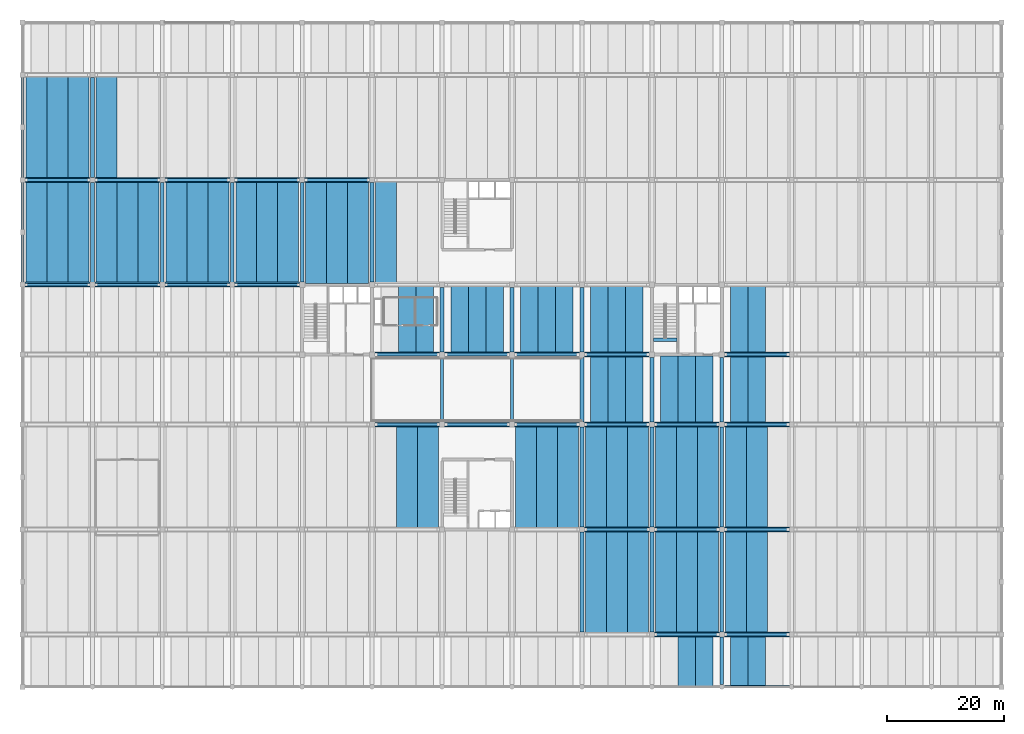
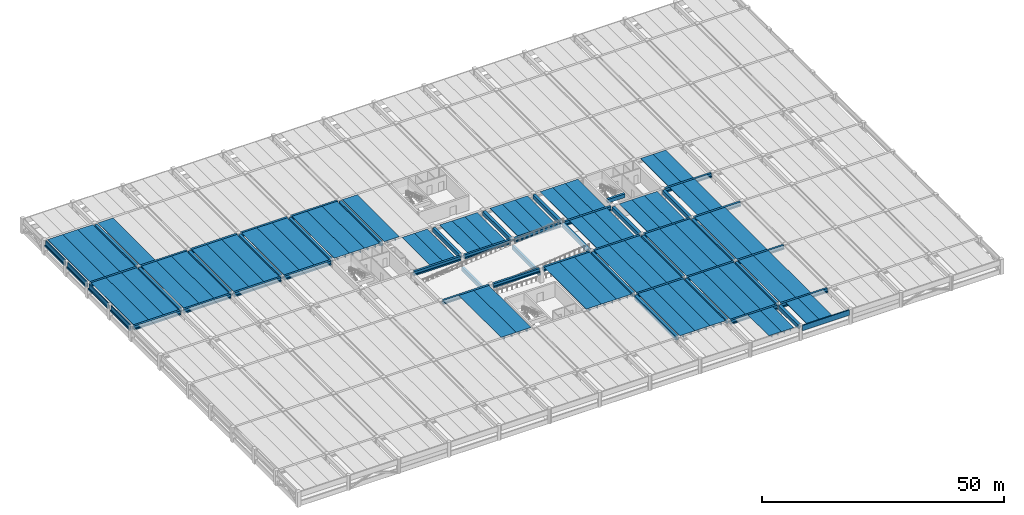
# One storey, part 3 of 19: 118 beams.
"""IFC4 building model written with IfcOpenShell, lengths in metres."""

from ifc_helpers import new_model, si_unit, direction, frame, origin, origin_2d, place, context, subcontext, project, spatial, polyline, rectangle, outline, extrude, material, material_profile, profile_set, type_object, element, save


model = new_model("IFC4")

# Units and contexts
model_context = context("Model", 3, precision=1e-05, world=origin(), true_north=direction((0.0, 1.0)))
body_context = subcontext(model_context, "Body", "Model", "MODEL_VIEW")
ifc_project = project(units=[si_unit("LENGTHUNIT", "METRE"), si_unit("AREAUNIT", "SQUARE_METRE"), si_unit("VOLUMEUNIT", "CUBIC_METRE"), si_unit("PLANEANGLEUNIT", "RADIAN"), si_unit("MASSUNIT", "GRAM", prefix="KILO")], contexts=[model_context])

# Site, building, storey
site_placement = place(None, origin())
site = spatial("IfcSite", under=ifc_project, at=site_placement, CompositionType="ELEMENT")
building_placement = place(site_placement, origin())
building = spatial("IfcBuilding", under=site, at=building_placement, Name="Girod Span Mobility Hub", CompositionType="ELEMENT")
storey_placement = place(building_placement, frame((0.0, 0.0, 13.39990234375)))
storey = spatial("IfcBuildingStorey", under=building, at=storey_placement, Name="L03", CompositionType="ELEMENT", Elevation=13.39990234375)

# Beams
ifc_material_1 = material(Name="Concrete C50/60", Category="concrete")
ifc_material_profile_1 = material_profile(ifc_material_1, outline(polyline([(-1.5, 0.35009765625), (-1.5, 0.2548828125), (-0.840087890625, 0.2548828125), (-0.81494140625, -0.35009765625), (-0.68505859375, -0.35009765625), (-0.659912109375, 0.2548828125), (0.659912109375, 0.2548828125), (0.68505859375, -0.35009765625), (0.81494140625, -0.35009765625), (0.840087890625, 0.2548828125), (1.5, 0.2548828125), (1.5, 0.35009765625), (-1.5, 0.35009765625)])), Name="DT-3000X700")
ifc_profile_set_1 = profile_set([ifc_material_profile_1], Name="Concrete C50/60")
beam_type_1 = type_object("IfcBeamType", Name="BM-DT-3000X700", PredefinedType="JOIST", material=ifc_profile_set_1)
for number, where, z_axis, x_axis, name in (
    (1, (66.0, 57.2470703125, 3.26513671875), (0.0, 1.0, 0.0), (-1.0, 0.0, 0.0), "Double-Tee Deck 6/E-2 L03"),
    (2, (69.0, 57.2470703125, 3.26513671875), (0.0, 1.0, 0.0), (-1.0, 0.0, 0.0), "Double-Tee Deck 6/E-3 L03"),
    (3, (75.0, 57.2470703125, 3.26513671875), (0.0, 1.0, 0.0), (-1.0, 0.0, 0.0), "Double-Tee Deck 7/E-1 L03"),
    (4, (78.0, 57.2470703125, 3.26513671875), (0.0, 1.0, 0.0), (-1.0, 0.0, 0.0), "Double-Tee Deck 7/E-2 L03"),
    (5, (81.0, 57.2470703125, 3.26513671875), (0.0, 1.0, 0.0), (-1.0, 0.0, 0.0), "Double-Tee Deck 7/E-3 L03"),
    (6, (87.0, 57.2470703125, 3.26513671875), (0.0, 1.0, 0.0), (-1.0, 0.0, 0.0), "Double-Tee Deck 8/E-1 L03"),
    (7, (90.0, 57.2470703125, 3.26513671875), (0.0, 1.0, 0.0), (-1.0, 0.0, 0.0), "Double-Tee Deck 8/E-2 L03"),
    (8, (93.0, 57.2470703125, 3.26513671875), (0.0, 1.0, 0.0), (-1.0, 0.0, 0.0), "Double-Tee Deck 8/E-3 L03"),
    (9, (99.0, 45.2470703125, 3.26513671875), (0.0, 1.0, 0.0), (-1.0, 0.0, 0.0), "Double-Tee Deck 9/D-1 L03"),
    (10, (102.0, 45.2470703125, 3.26513671875), (0.0, 1.0, 0.0), (-1.0, 0.0, 0.0), "Double-Tee Deck 9/D-2 L03"),
    (11, (105.0, 45.2470703125, 3.26513671875), (0.0, 1.0, 0.0), (-1.0, 0.0, 0.0), "Double-Tee Deck 9/D-3 L03"),
    (12, (99.0, 57.2470703125, 3.26513671875), (0.0, 1.0, 0.0), (-1.0, 0.0, 0.0), "Double-Tee Deck 9/E-1 L03"),
    (13, (102.0, 57.2470703125, 3.26513671875), (0.0, 1.0, 0.0), (-1.0, 0.0, 0.0), "Double-Tee Deck 9/E-2 L03"),
    (14, (105.0, 57.2470703125, 3.26513671875), (0.0, 1.0, 0.0), (-1.0, 0.0, 0.0), "Double-Tee Deck 9/E-3 L03"),
):
    element("IfcBeam", number, at=place(storey_placement, frame(where, z_axis=z_axis, x_axis=x_axis)), inside=storey, type_object=beam_type_1, Name=name, PredefinedType="JOIST", context=body_context, shape_type="SweptSolid", body=[
        extrude(outline(polyline([(-1.5, 0.35009765625), (-1.5, 0.2548828125), (-0.840087890625, 0.2548828125), (-0.81494140625, -0.35009765625), (-0.68505859375, -0.35009765625), (-0.659912109375, 0.2548828125), (0.659912109375, 0.2548828125), (0.68505859375, -0.35009765625), (0.81494140625, -0.35009765625), (0.840087890625, 0.2548828125), (1.5, 0.2548828125), (1.5, 0.35009765625), (-1.5, 0.35009765625)])), origin(), (0.0, 0.0, 1.0), 11.505859375),
    ])
for number, where, z_axis, x_axis, name in (
    (15, (114.0, 0.02197265625, 3.26513671875), (0.0, 1.0, 0.0), (-1.0, 0.0, 0.0), "Double-Tee Deck 10/A-2 L03"),
    (16, (117.0, 0.02197265625, 3.26513671875), (0.0, 1.0, 0.0), (-1.0, 0.0, 0.0), "Double-Tee Deck 10/A-3 L03"),
):
    element("IfcBeam", number, at=place(storey_placement, frame(where, z_axis=z_axis, x_axis=x_axis)), inside=storey, type_object=beam_type_1, Name=name, PredefinedType="JOIST", context=body_context, shape_type="SweptSolid", body=[
        extrude(outline(polyline([(-1.5, 0.35009765625), (-1.5, 0.2548828125), (-0.840087890625, 0.2548828125), (-0.81494140625, -0.35009765625), (-0.68505859375, -0.35009765625), (-0.659912109375, 0.2548828125), (0.659912109375, 0.2548828125), (0.68505859375, -0.35009765625), (0.81494140625, -0.35009765625), (0.840087890625, 0.2548828125), (1.5, 0.2548828125), (1.5, 0.35009765625), (-1.5, 0.35009765625)])), origin(), (0.0, 0.0, 1.0), 8.73095703125),
    ])
for number, where, z_axis, x_axis, name in (
    (17, (111.0, 45.2470703125, 3.26513671875), (0.0, 1.0, 0.0), (-1.0, 0.0, 0.0), "Double-Tee Deck 10/D-1 L03"),
    (18, (114.0, 45.2470703125, 3.26513671875), (0.0, 1.0, 0.0), (-1.0, 0.0, 0.0), "Double-Tee Deck 10/D-2 L03"),
    (19, (117.0, 45.2470703125, 3.26513671875), (0.0, 1.0, 0.0), (-1.0, 0.0, 0.0), "Double-Tee Deck 10/D-3 L03"),
):
    element("IfcBeam", number, at=place(storey_placement, frame(where, z_axis=z_axis, x_axis=x_axis)), inside=storey, type_object=beam_type_1, Name=name, PredefinedType="JOIST", context=body_context, shape_type="SweptSolid", body=[
        extrude(outline(polyline([(-1.5, 0.35009765625), (-1.5, 0.2548828125), (-0.840087890625, 0.2548828125), (-0.81494140625, -0.35009765625), (-0.68505859375, -0.35009765625), (-0.659912109375, 0.2548828125), (0.659912109375, 0.2548828125), (0.68505859375, -0.35009765625), (0.81494140625, -0.35009765625), (0.840087890625, 0.2548828125), (1.5, 0.2548828125), (1.5, 0.35009765625), (-1.5, 0.35009765625)])), origin(), (0.0, 0.0, 1.0), 11.505859375),
    ])
for number, where, z_axis, x_axis, name in (
    (20, (123.0, 0.02197265625, 3.26513671875), (0.0, 1.0, 0.0), (-1.0, 0.0, 0.0), "Double-Tee Deck 11/A-1 L03"),
    (21, (126.0, 0.02197265625, 3.26513671875), (0.0, 1.0, 0.0), (-1.0, 0.0, 0.0), "Double-Tee Deck 11/A-2 L03"),
):
    element("IfcBeam", number, at=place(storey_placement, frame(where, z_axis=z_axis, x_axis=x_axis)), inside=storey, type_object=beam_type_1, Name=name, PredefinedType="JOIST", context=body_context, shape_type="SweptSolid", body=[
        extrude(outline(polyline([(-1.5, 0.35009765625), (-1.5, 0.2548828125), (-0.840087890625, 0.2548828125), (-0.81494140625, -0.35009765625), (-0.68505859375, -0.35009765625), (-0.659912109375, 0.2548828125), (0.659912109375, 0.2548828125), (0.68505859375, -0.35009765625), (0.81494140625, -0.35009765625), (0.840087890625, 0.2548828125), (1.5, 0.2548828125), (1.5, 0.35009765625), (-1.5, 0.35009765625)])), origin(), (0.0, 0.0, 1.0), 8.73095703125),
    ])
for number, where, z_axis, x_axis, name in (
    (22, (123.0, 45.2470703125, 3.26513671875), (0.0, 1.0, 0.0), (-1.0, 0.0, 0.0), "Double-Tee Deck 11/D-1 L03"),
    (23, (126.0, 45.2470703125, 3.26513671875), (0.0, 1.0, 0.0), (-1.0, 0.0, 0.0), "Double-Tee Deck 11/D-2 L03"),
    (24, (123.0, 57.2470703125, 3.26513671875), (0.0, 1.0, 0.0), (-1.0, 0.0, 0.0), "Double-Tee Deck 11/E-1 L03"),
    (25, (126.0, 57.2470703125, 3.26513671875), (0.0, 1.0, 0.0), (-1.0, 0.0, 0.0), "Double-Tee Deck 11/E-2 L03"),
):
    element("IfcBeam", number, at=place(storey_placement, frame(where, z_axis=z_axis, x_axis=x_axis)), inside=storey, type_object=beam_type_1, Name=name, PredefinedType="JOIST", context=body_context, shape_type="SweptSolid", body=[
        extrude(outline(polyline([(-1.5, 0.35009765625), (-1.5, 0.2548828125), (-0.840087890625, 0.2548828125), (-0.81494140625, -0.35009765625), (-0.68505859375, -0.35009765625), (-0.659912109375, 0.2548828125), (0.659912109375, 0.2548828125), (0.68505859375, -0.35009765625), (0.81494140625, -0.35009765625), (0.840087890625, 0.2548828125), (1.5, 0.2548828125), (1.5, 0.35009765625), (-1.5, 0.35009765625)])), origin(), (0.0, 0.0, 1.0), 11.505859375),
    ])
ifc_material_2 = material(Name="Concrete C50/60", Category="concrete")
ifc_material_profile_2 = material_profile(ifc_material_2, outline(polyline([(-1.800048828125, 0.425048828125), (-1.800048828125, 0.324951171875), (-1.0, 0.324951171875), (-0.969970703125, -0.425048828125), (-0.830078125, -0.425048828125), (-0.800048828125, 0.324951171875), (0.800048828125, 0.324951171875), (0.830078125, -0.425048828125), (0.969970703125, -0.425048828125), (1.0, 0.324951171875), (1.800048828125, 0.324951171875), (1.800048828125, 0.425048828125), (-1.800048828125, 0.425048828125)])), Name="DT-3600X850")
ifc_profile_set_2 = profile_set([ifc_material_profile_2], Name="Concrete C50/60")
beam_type_2 = type_object("IfcBeamType", Name="BM-DT-3600X850", PredefinedType="JOIST", material=ifc_profile_set_2)
for number, where, z_axis, x_axis, name in (
    (26, (2.39990234375, 69.2470703125, 3.190185546875), (0.0, 1.0, 0.0), (-1.0, 0.0, 0.0), "Double-Tee Deck 1/F-1 L03"),
    (27, (6.0, 69.2470703125, 3.190185546875), (0.0, 1.0, 0.0), (-1.0, 0.0, 0.0), "Double-Tee Deck 1/F-2 L03"),
    (28, (9.60009765625, 69.2470703125, 3.190185546875), (0.0, 1.0, 0.0), (-1.0, 0.0, 0.0), "Double-Tee Deck 1/F-3 L03"),
    (29, (2.39990234375, 87.2470703125, 3.190185546875), (0.0, 1.0, 0.0), (-1.0, 0.0, 0.0), "Double-Tee Deck 1/G-1 L03"),
    (30, (6.0, 87.2470703125, 3.190185546875), (0.0, 1.0, 0.0), (-1.0, 0.0, 0.0), "Double-Tee Deck 1/G-2 L03"),
    (31, (9.60009765625, 87.2470703125, 3.190185546875), (0.0, 1.0, 0.0), (-1.0, 0.0, 0.0), "Double-Tee Deck 1/G-3 L03"),
    (32, (14.39990234375, 69.2470703125, 3.190185546875), (0.0, 1.0, 0.0), (-1.0, 0.0, 0.0), "Double-Tee Deck 2/F-1 L03"),
    (33, (18.0, 69.2470703125, 3.190185546875), (0.0, 1.0, 0.0), (-1.0, 0.0, 0.0), "Double-Tee Deck 2/F-2 L03"),
    (34, (21.60009765625, 69.2470703125, 3.190185546875), (0.0, 1.0, 0.0), (-1.0, 0.0, 0.0), "Double-Tee Deck 2/F-3 L03"),
    (35, (14.39990234375, 87.2470703125, 3.190185546875), (0.0, 1.0, 0.0), (-1.0, 0.0, 0.0), "Double-Tee Deck 2/G-1 L03"),
    (36, (26.39990234375, 69.2470703125, 3.190185546875), (0.0, 1.0, 0.0), (-1.0, 0.0, 0.0), "Double-Tee Deck 3/F-1 L03"),
    (37, (30.0, 69.2470703125, 3.190185546875), (0.0, 1.0, 0.0), (-1.0, 0.0, 0.0), "Double-Tee Deck 3/F-2 L03"),
    (38, (33.60009765625, 69.2470703125, 3.190185546875), (0.0, 1.0, 0.0), (-1.0, 0.0, 0.0), "Double-Tee Deck 3/F-3 L03"),
    (39, (38.39990234375, 69.2470703125, 3.190185546875), (0.0, 1.0, 0.0), (-1.0, 0.0, 0.0), "Double-Tee Deck 4/F-1 L03"),
    (40, (42.0, 69.2470703125, 3.190185546875), (0.0, 1.0, 0.0), (-1.0, 0.0, 0.0), "Double-Tee Deck 4/F-2 L03"),
    (41, (45.60009765625, 69.2470703125, 3.190185546875), (0.0, 1.0, 0.0), (-1.0, 0.0, 0.0), "Double-Tee Deck 4/F-3 L03"),
    (42, (50.39990234375, 69.2470703125, 3.190185546875), (0.0, 1.0, 0.0), (-1.0, 0.0, 0.0), "Double-Tee Deck 5/F-1 L03"),
    (43, (54.0, 69.2470703125, 3.190185546875), (0.0, 1.0, 0.0), (-1.0, 0.0, 0.0), "Double-Tee Deck 5/F-2 L03"),
    (44, (57.60009765625, 69.2470703125, 3.190185546875), (0.0, 1.0, 0.0), (-1.0, 0.0, 0.0), "Double-Tee Deck 5/F-3 L03"),
    (45, (66.0, 27.2470703125, 3.190185546875), (0.0, 1.0, 0.0), (-1.0, 0.0, 0.0), "Double-Tee Deck 6/C-2 L03"),
    (46, (69.60009765625, 27.2470703125, 3.190185546875), (0.0, 1.0, 0.0), (-1.0, 0.0, 0.0), "Double-Tee Deck 6/C-3 L03"),
    (47, (62.39990234375, 69.2470703125, 3.190185546875), (0.0, 1.0, 0.0), (-1.0, 0.0, 0.0), "Double-Tee Deck 6/F-1 L03"),
    (48, (86.39990234375, 27.2470703125, 3.190185546875), (0.0, 1.0, 0.0), (-1.0, 0.0, 0.0), "Double-Tee Deck 8/C-1 L03"),
    (49, (90.0, 27.2470703125, 3.190185546875), (0.0, 1.0, 0.0), (-1.0, 0.0, 0.0), "Double-Tee Deck 8/C-2 L03"),
    (50, (93.60009765625, 27.2470703125, 3.190185546875), (0.0, 1.0, 0.0), (-1.0, 0.0, 0.0), "Double-Tee Deck 8/C-3 L03"),
    (51, (98.39990234375, 9.2470703125, 3.190185546875), (0.0, 1.0, 0.0), (-1.0, 0.0, 0.0), "Double-Tee Deck 9/B-1 L03"),
    (52, (102.0, 9.2470703125, 3.190185546875), (0.0, 1.0, 0.0), (-1.0, 0.0, 0.0), "Double-Tee Deck 9/B-2 L03"),
    (53, (105.60009765625, 9.2470703125, 3.190185546875), (0.0, 1.0, 0.0), (-1.0, 0.0, 0.0), "Double-Tee Deck 9/B-3 L03"),
    (54, (98.39990234375, 27.2470703125, 3.190185546875), (0.0, 1.0, 0.0), (-1.0, 0.0, 0.0), "Double-Tee Deck 9/C-1 L03"),
    (55, (102.0, 27.2470703125, 3.190185546875), (0.0, 1.0, 0.0), (-1.0, 0.0, 0.0), "Double-Tee Deck 9/C-2 L03"),
    (56, (105.60009765625, 27.2470703125, 3.190185546875), (0.0, 1.0, 0.0), (-1.0, 0.0, 0.0), "Double-Tee Deck 9/C-3 L03"),
    (57, (110.39990234375, 9.2470703125, 3.190185546875), (0.0, 1.0, 0.0), (-1.0, 0.0, 0.0), "Double-Tee Deck 10/B-1 L03"),
    (58, (114.0, 9.2470703125, 3.190185546875), (0.0, 1.0, 0.0), (-1.0, 0.0, 0.0), "Double-Tee Deck 10/B-2 L03"),
    (59, (117.60009765625, 9.2470703125, 3.190185546875), (0.0, 1.0, 0.0), (-1.0, 0.0, 0.0), "Double-Tee Deck 10/B-3 L03"),
    (60, (110.39990234375, 27.2470703125, 3.190185546875), (0.0, 1.0, 0.0), (-1.0, 0.0, 0.0), "Double-Tee Deck 10/C-1 L03"),
    (61, (114.0, 27.2470703125, 3.190185546875), (0.0, 1.0, 0.0), (-1.0, 0.0, 0.0), "Double-Tee Deck 10/C-2 L03"),
    (62, (117.60009765625, 27.2470703125, 3.190185546875), (0.0, 1.0, 0.0), (-1.0, 0.0, 0.0), "Double-Tee Deck 10/C-3 L03"),
    (63, (122.39990234375, 9.2470703125, 3.190185546875), (0.0, 1.0, 0.0), (-1.0, 0.0, 0.0), "Double-Tee Deck 11/B-1 L03"),
    (64, (126.0, 9.2470703125, 3.190185546875), (0.0, 1.0, 0.0), (-1.0, 0.0, 0.0), "Double-Tee Deck 11/B-2 L03"),
    (65, (122.39990234375, 27.2470703125, 3.190185546875), (0.0, 1.0, 0.0), (-1.0, 0.0, 0.0), "Double-Tee Deck 11/C-1 L03"),
    (66, (126.0, 27.2470703125, 3.190185546875), (0.0, 1.0, 0.0), (-1.0, 0.0, 0.0), "Double-Tee Deck 11/C-2 L03"),
):
    element("IfcBeam", number, at=place(storey_placement, frame(where, z_axis=z_axis, x_axis=x_axis)), inside=storey, type_object=beam_type_2, Name=name, PredefinedType="JOIST", context=body_context, shape_type="SweptSolid", body=[
        extrude(outline(polyline([(-1.800048828125, 0.425048828125), (-1.800048828125, 0.324951171875), (-1.0, 0.324951171875), (-0.969970703125, -0.425048828125), (-0.830078125, -0.425048828125), (-0.800048828125, 0.324951171875), (0.800048828125, 0.324951171875), (0.830078125, -0.425048828125), (0.969970703125, -0.425048828125), (1.0, 0.324951171875), (1.800048828125, 0.324951171875), (1.800048828125, 0.425048828125), (-1.800048828125, 0.425048828125)])), origin(), (0.0, 0.0, 1.0), 17.505859375),
    ])
ifc_material_3 = material(Name="Concrete C50/60", Category="concrete")
ifc_material_profile_3 = material_profile(ifc_material_3, outline(polyline([(-0.425048828125, -0.47509765625), (0.425048828125, -0.47509765625), (0.425048828125, -0.155029296875), (0.25, -0.155029296875), (0.25, 0.47509765625), (-0.25, 0.47509765625), (-0.25, -0.155029296875), (-0.425048828125, -0.155029296875), (-0.425048828125, -0.47509765625)])), Name="IT-850X950")
ifc_profile_set_3 = profile_set([ifc_material_profile_3], Name="Concrete C50/60")
beam_type_3 = type_object("IfcBeamType", Name="BM-IT-850X950", PredefinedType="T_BEAM", material=ifc_profile_set_3)
for number, where, z_axis, x_axis, name in (
    (67, (108.422119140625, 9.0, 3.14013671875), (1.0, 0.0, 0.0), (0.0, 1.0, 0.0), "Girder 10-11/B L03"),
    (68, (120.422119140625, 9.0, 3.14013671875), (1.0, 0.0, 0.0), (0.0, 1.0, 0.0), "Girder 11-12/B L03"),
    (69, (96.422119140625, 27.0, 3.14013671875), (1.0, 0.0, 0.0), (0.0, 1.0, 0.0), "Girder 9-10/C L03"),
    (70, (108.422119140625, 27.0, 3.14013671875), (1.0, 0.0, 0.0), (0.0, 1.0, 0.0), "Girder 10-11/C L03"),
    (71, (120.422119140625, 27.0, 3.14013671875), (1.0, 0.0, 0.0), (0.0, 1.0, 0.0), "Girder 11-12/C L03"),
):
    element("IfcBeam", number, at=place(storey_placement, frame(where, z_axis=z_axis, x_axis=x_axis)), inside=storey, type_object=beam_type_3, Name=name, PredefinedType="T_BEAM", context=body_context, shape_type="SweptSolid", body=[
        extrude(outline(polyline([(-0.425048828125, -0.47509765625), (0.425048828125, -0.47509765625), (0.425048828125, -0.155029296875), (0.25, -0.155029296875), (0.25, 0.47509765625), (-0.25, 0.47509765625), (-0.25, -0.155029296875), (-0.425048828125, -0.155029296875), (-0.425048828125, -0.47509765625)])), origin(), (0.0, 0.0, 1.0), 11.15576171875),
    ])
for number, where, z_axis, x_axis, name in (
    (72, (60.447021484375, 45.0, 3.14013671875), (1.0, 0.0, 0.0), (0.0, 1.0, 0.0), "Girder 6-7/D L03"),
    (73, (72.447021484375, 45.0, 3.14013671875), (1.0, 0.0, 0.0), (0.0, 1.0, 0.0), "Girder 7-8/D L03"),
    (74, (84.447021484375, 45.0, 3.14013671875), (1.0, 0.0, 0.0), (0.0, 1.0, 0.0), "Girder 8-9/D L03"),
    (75, (96.447021484375, 45.0, 3.14013671875), (1.0, 0.0, 0.0), (0.0, 1.0, 0.0), "Girder 9-10/D L03"),
    (76, (108.447021484375, 45.0, 3.14013671875), (1.0, 0.0, 0.0), (0.0, 1.0, 0.0), "Girder 10-11/D L03"),
):
    element("IfcBeam", number, at=place(storey_placement, frame(where, z_axis=z_axis, x_axis=x_axis)), inside=storey, type_object=beam_type_3, Name=name, PredefinedType="T_BEAM", context=body_context, shape_type="SweptSolid", body=[
        extrude(outline(polyline([(-0.425048828125, -0.47509765625), (0.425048828125, -0.47509765625), (0.425048828125, -0.155029296875), (0.25, -0.155029296875), (0.25, 0.47509765625), (-0.25, 0.47509765625), (-0.25, -0.155029296875), (-0.425048828125, -0.155029296875), (-0.425048828125, -0.47509765625)])), origin(), (0.0, 0.0, 1.0), 11.10595703125),
    ])
beam_1_placement = place(storey_placement, frame((120.447021484375, 45.0, 3.14013671875), z_axis=(1.0, 0.0, 0.0), x_axis=(0.0, 1.0, 0.0)))
element("IfcBeam", 77, at=beam_1_placement, inside=storey, type_object=beam_type_3, Name="Girder 11-12/D L03", PredefinedType="T_BEAM", context=body_context, shape_type="SweptSolid", body=[
    extrude(outline(polyline([(-0.425048828125, -0.47509765625), (0.425048828125, -0.47509765625), (0.425048828125, -0.155029296875), (0.25, -0.155029296875), (0.25, 0.47509765625), (-0.25, 0.47509765625), (-0.25, -0.155029296875), (-0.425048828125, -0.155029296875), (-0.425048828125, -0.47509765625)])), origin(), (0.0, 0.0, 1.0), 11.130859375),
])
for number, where, z_axis, x_axis, name in (
    (78, (60.447021484375, 57.0, 3.14013671875), (1.0, 0.0, 0.0), (0.0, 1.0, 0.0), "Girder 6-7/E L03"),
    (79, (72.447021484375, 57.0, 3.14013671875), (1.0, 0.0, 0.0), (0.0, 1.0, 0.0), "Girder 7-8/E L03"),
    (80, (84.447021484375, 57.0, 3.14013671875), (1.0, 0.0, 0.0), (0.0, 1.0, 0.0), "Girder 8-9/E L03"),
    (81, (96.447021484375, 57.0, 3.14013671875), (1.0, 0.0, 0.0), (0.0, 1.0, 0.0), "Girder 9-10/E L03"),
):
    element("IfcBeam", number, at=place(storey_placement, frame(where, z_axis=z_axis, x_axis=x_axis)), inside=storey, type_object=beam_type_3, Name=name, PredefinedType="T_BEAM", context=body_context, shape_type="SweptSolid", body=[
        extrude(outline(polyline([(-0.425048828125, -0.47509765625), (0.425048828125, -0.47509765625), (0.425048828125, -0.155029296875), (0.25, -0.155029296875), (0.25, 0.47509765625), (-0.25, 0.47509765625), (-0.25, -0.155029296875), (-0.425048828125, -0.155029296875), (-0.425048828125, -0.47509765625)])), origin(), (0.0, 0.0, 1.0), 11.10595703125),
    ])
beam_2_placement = place(storey_placement, frame((120.447021484375, 57.0, 3.14013671875), z_axis=(1.0, 0.0, 0.0), x_axis=(0.0, 1.0, 0.0)))
element("IfcBeam", 82, at=beam_2_placement, inside=storey, type_object=beam_type_3, Name="Girder 11-12/E L03", PredefinedType="T_BEAM", context=body_context, shape_type="SweptSolid", body=[
    extrude(outline(polyline([(-0.425048828125, -0.47509765625), (0.425048828125, -0.47509765625), (0.425048828125, -0.155029296875), (0.25, -0.155029296875), (0.25, 0.47509765625), (-0.25, 0.47509765625), (-0.25, -0.155029296875), (-0.425048828125, -0.155029296875), (-0.425048828125, -0.47509765625)])), origin(), (0.0, 0.0, 1.0), 11.130859375),
])
for number, where, z_axis, x_axis, name in (
    (83, (0.422119140625, 69.0, 3.14013671875), (1.0, 0.0, 0.0), (0.0, 1.0, 0.0), "Girder 1-2/F L03"),
    (84, (12.422119140625, 69.0, 3.14013671875), (1.0, 0.0, 0.0), (0.0, 1.0, 0.0), "Girder 2-3/F L03"),
    (85, (24.422119140625, 69.0, 3.14013671875), (1.0, 0.0, 0.0), (0.0, 1.0, 0.0), "Girder 3-4/F L03"),
):
    element("IfcBeam", number, at=place(storey_placement, frame(where, z_axis=z_axis, x_axis=x_axis)), inside=storey, type_object=beam_type_3, Name=name, PredefinedType="T_BEAM", context=body_context, shape_type="SweptSolid", body=[
        extrude(outline(polyline([(-0.425048828125, -0.47509765625), (0.425048828125, -0.47509765625), (0.425048828125, -0.155029296875), (0.25, -0.155029296875), (0.25, 0.47509765625), (-0.25, 0.47509765625), (-0.25, -0.155029296875), (-0.425048828125, -0.155029296875), (-0.425048828125, -0.47509765625)])), origin(), (0.0, 0.0, 1.0), 11.15576171875),
    ])
beam_3_placement = place(storey_placement, frame((36.422119140625, 69.0, 3.14013671875), z_axis=(1.0, 0.0, 0.0), x_axis=(0.0, 1.0, 0.0)))
element("IfcBeam", 86, at=beam_3_placement, inside=storey, type_object=beam_type_3, Name="Girder 4-5/F L03", PredefinedType="T_BEAM", context=body_context, shape_type="SweptSolid", body=[
    extrude(outline(polyline([(-0.425048828125, -0.47509765625), (0.425048828125, -0.47509765625), (0.425048828125, -0.155029296875), (0.25, -0.155029296875), (0.25, 0.47509765625), (-0.25, 0.47509765625), (-0.25, -0.155029296875), (-0.425048828125, -0.155029296875), (-0.425048828125, -0.47509765625)])), origin(), (0.0, 0.0, 1.0), 11.130859375),
])
for number, where, z_axis, x_axis, name in (
    (87, (0.422119140625, 87.0, 3.14013671875), (1.0, 0.0, 0.0), (0.0, 1.0, 0.0), "Girder 1-2/G L03"),
    (88, (12.422119140625, 87.0, 3.14013671875), (1.0, 0.0, 0.0), (0.0, 1.0, 0.0), "Girder 2-3/G L03"),
    (89, (24.422119140625, 87.0, 3.14013671875), (1.0, 0.0, 0.0), (0.0, 1.0, 0.0), "Girder 3-4/G L03"),
    (90, (36.422119140625, 87.0, 3.14013671875), (1.0, 0.0, 0.0), (0.0, 1.0, 0.0), "Girder 4-5/G L03"),
    (91, (48.422119140625, 87.0, 3.14013671875), (1.0, 0.0, 0.0), (0.0, 1.0, 0.0), "Girder 5-6/G L03"),
):
    element("IfcBeam", number, at=place(storey_placement, frame(where, z_axis=z_axis, x_axis=x_axis)), inside=storey, type_object=beam_type_3, Name=name, PredefinedType="T_BEAM", context=body_context, shape_type="SweptSolid", body=[
        extrude(outline(polyline([(-0.425048828125, -0.47509765625), (0.425048828125, -0.47509765625), (0.425048828125, -0.155029296875), (0.25, -0.155029296875), (0.25, 0.47509765625), (-0.25, 0.47509765625), (-0.25, -0.155029296875), (-0.425048828125, -0.155029296875), (-0.425048828125, -0.47509765625)])), origin(), (0.0, 0.0, 1.0), 11.15576171875),
    ])
ifc_material_4 = material(Name="Concrete C40/50", Category="concrete")
ifc_material_profile_4 = material_profile(ifc_material_4, rectangle(XDim=0.550048828125, YDim=0.949951171875, at=origin_2d()), Name="RK-550X950")
ifc_profile_set_4 = profile_set([ifc_material_profile_4], Name="Concrete C40/50")
beam_type_4 = type_object("IfcBeamType", Name="BM-RK-550X950", PredefinedType="BEAM", material=ifc_profile_set_4)
beam_4_placement = place(storey_placement, frame((108.2470703125, 59.550048828125, 3.14013671875), z_axis=(1.0, 0.0, 0.0), x_axis=(0.0, 1.0, 0.0)))
element("IfcBeam", 92, at=beam_4_placement, inside=storey, type_object=beam_type_4, Name="Stair ST-2 Landing Header Beam L03", PredefinedType="BEAM", context=body_context, shape_type="SweptSolid", body=[
    extrude(rectangle(XDim=0.550048828125, YDim=0.949951171875, at=origin_2d()), origin(), (0.0, 0.0, 1.0), 4.055908203125),
])
for number, where, z_axis, x_axis, name in (
    (93, (72.0, 45.447021484375, 0.51171875), (0.0, 1.0, 0.0), (-1.0, 0.0, 0.0), "Vehicular Ramp Support Beam X=72 L03"),
    (94, (84.0, 45.447021484375, 1.7783203125), (0.0, 1.0, 0.0), (-1.0, 0.0, 0.0), "Vehicular Ramp Support Beam X=84 L03"),
):
    element("IfcBeam", number, at=place(storey_placement, frame(where, z_axis=z_axis, x_axis=x_axis)), inside=storey, type_object=beam_type_4, Name=name, PredefinedType="BEAM", context=body_context, shape_type="SweptSolid", body=[
        extrude(rectangle(XDim=0.550048828125, YDim=0.949951171875, at=origin_2d()), origin(), (0.0, 0.0, 1.0), 11.10595703125),
    ])
ifc_material_5 = material(Name="Concrete C40/50", Category="concrete")
ifc_material_profile_5 = material_profile(ifc_material_5, outline(polyline([(-0.22509765625, -0.675048828125), (0.22509765625, -0.675048828125), (0.22509765625, -0.324951171875), (0.02490234375, -0.324951171875), (0.02490234375, 0.675048828125), (-0.22509765625, 0.675048828125), (-0.22509765625, -0.675048828125)])), Name="SP-450X1350")
ifc_profile_set_5 = profile_set([ifc_material_profile_5], Name="Concrete C40/50")
beam_type_5 = type_object("IfcBeamType", Name="BM-SP-450X1350", PredefinedType="SPANDREL", material=ifc_profile_set_5)
beam_5_placement = place(storey_placement, frame((120.422119140625, 0.0, 2.940185546875), z_axis=(1.0, 0.0, 0.0), x_axis=(0.0, 1.0, 0.0)))
element("IfcBeam", 95, at=beam_5_placement, inside=storey, type_object=beam_type_5, Name="Girder 11-12/A L03", PredefinedType="SPANDREL", context=body_context, shape_type="SweptSolid", body=[
    extrude(outline(polyline([(-0.22509765625, -0.675048828125), (0.22509765625, -0.675048828125), (0.22509765625, -0.324951171875), (0.02490234375, -0.324951171875), (0.02490234375, 0.675048828125), (-0.22509765625, 0.675048828125), (-0.22509765625, -0.675048828125)])), origin(), (0.0, 0.0, 1.0), 11.15576171875),
])
for number, where, z_axis, x_axis, name in (
    (96, (0.0, 69.422119140625, 2.940185546875), (0.0, 1.0, 0.0), (-1.0, 0.0, 0.0), "Perimeter Spandrel 1/F-S L03"),
    (97, (0.0, 78.471923828125, 2.940185546875), (0.0, 1.0, 0.0), (-1.0, 0.0, 0.0), "Perimeter Spandrel 1/F-N L03"),
    (98, (0.0, 87.422119140625, 2.940185546875), (0.0, 1.0, 0.0), (-1.0, 0.0, 0.0), "Perimeter Spandrel 1/G-S L03"),
    (99, (0.0, 96.471923828125, 2.940185546875), (0.0, 1.0, 0.0), (-1.0, 0.0, 0.0), "Perimeter Spandrel 1/G-N L03"),
):
    element("IfcBeam", number, at=place(storey_placement, frame(where, z_axis=z_axis, x_axis=x_axis)), inside=storey, type_object=beam_type_5, Name=name, PredefinedType="SPANDREL", context=body_context, shape_type="SweptSolid", body=[
        extrude(outline(polyline([(-0.22509765625, -0.675048828125), (0.22509765625, -0.675048828125), (0.22509765625, -0.324951171875), (0.02490234375, -0.324951171875), (0.02490234375, 0.675048828125), (-0.22509765625, 0.675048828125), (-0.22509765625, -0.675048828125)])), origin(), (0.0, 0.0, 1.0), 8.10595703125),
    ])
ifc_material_6 = material(Name="Concrete C40/50", Category="concrete")
ifc_material_profile_6 = material_profile(ifc_material_6, rectangle(XDim=0.64990234375, YDim=1.0, at=origin_2d()), Name="TG-650X1000")
ifc_profile_set_6 = profile_set([ifc_material_profile_6], Name="Concrete C40/50")
beam_type_6 = type_object("IfcBeamType", Name="BM-TG-650X1000", PredefinedType="T_BEAM", material=ifc_profile_set_6)
for number, where, z_axis, x_axis, name in (
    (100, (12.0, 69.422119140625, 3.114990234375), (0.0, 1.0, 0.0), (-1.0, 0.0, 0.0), "Tie Girder 2/F-G L03"),
    (101, (12.0, 87.422119140625, 3.114990234375), (0.0, 1.0, 0.0), (-1.0, 0.0, 0.0), "Tie Girder 2/G-H L03"),
    (102, (24.0, 69.422119140625, 3.114990234375), (0.0, 1.0, 0.0), (-1.0, 0.0, 0.0), "Tie Girder 3/F-G L03"),
    (103, (36.0, 69.422119140625, 3.114990234375), (0.0, 1.0, 0.0), (-1.0, 0.0, 0.0), "Tie Girder 4/F-G L03"),
):
    element("IfcBeam", number, at=place(storey_placement, frame(where, z_axis=z_axis, x_axis=x_axis)), inside=storey, type_object=beam_type_6, Name=name, PredefinedType="T_BEAM", context=body_context, shape_type="SweptSolid", body=[
        extrude(rectangle(XDim=0.64990234375, YDim=1.0, at=origin_2d()), origin(), (0.0, 0.0, 1.0), 17.15576171875),
    ])
for number, where, z_axis, x_axis, name in (
    (104, (48.0, 69.447021484375, 3.114990234375), (0.0, 1.0, 0.0), (-1.0, 0.0, 0.0), "Tie Girder 5/F-G L03"),
    (105, (60.0, 69.447021484375, 3.114990234375), (0.0, 1.0, 0.0), (-1.0, 0.0, 0.0), "Tie Girder 6/F-G L03"),
):
    element("IfcBeam", number, at=place(storey_placement, frame(where, z_axis=z_axis, x_axis=x_axis)), inside=storey, type_object=beam_type_6, Name=name, PredefinedType="T_BEAM", context=body_context, shape_type="SweptSolid", body=[
        extrude(rectangle(XDim=0.64990234375, YDim=1.0, at=origin_2d()), origin(), (0.0, 0.0, 1.0), 17.130859375),
    ])
for number, where, z_axis, x_axis, name in (
    (106, (72.0, 57.447021484375, 3.114990234375), (0.0, 1.0, 0.0), (-1.0, 0.0, 0.0), "Tie Girder 7/E-F L03"),
    (107, (84.0, 57.447021484375, 3.114990234375), (0.0, 1.0, 0.0), (-1.0, 0.0, 0.0), "Tie Girder 8/E-F L03"),
):
    element("IfcBeam", number, at=place(storey_placement, frame(where, z_axis=z_axis, x_axis=x_axis)), inside=storey, type_object=beam_type_6, Name=name, PredefinedType="T_BEAM", context=body_context, shape_type="SweptSolid", body=[
        extrude(rectangle(XDim=0.64990234375, YDim=1.0, at=origin_2d()), origin(), (0.0, 0.0, 1.0), 11.10595703125),
    ])
beam_6_placement = place(storey_placement, frame((96.0, 9.422119140625, 3.114990234375), z_axis=(0.0, 1.0, 0.0), x_axis=(-1.0, 0.0, 0.0)))
element("IfcBeam", 108, at=beam_6_placement, inside=storey, type_object=beam_type_6, Name="Tie Girder 9/B-C L03", PredefinedType="T_BEAM", context=body_context, shape_type="SweptSolid", body=[
    extrude(rectangle(XDim=0.64990234375, YDim=1.0, at=origin_2d()), origin(), (0.0, 0.0, 1.0), 17.15576171875),
])
beam_7_placement = place(storey_placement, frame((96.0, 27.422119140625, 3.114990234375), z_axis=(0.0, 1.0, 0.0), x_axis=(-1.0, 0.0, 0.0)))
element("IfcBeam", 109, at=beam_7_placement, inside=storey, type_object=beam_type_6, Name="Tie Girder 9/C-D L03", PredefinedType="T_BEAM", context=body_context, shape_type="SweptSolid", body=[
    extrude(rectangle(XDim=0.64990234375, YDim=1.0, at=origin_2d()), origin(), (0.0, 0.0, 1.0), 17.130859375),
])
for number, where, z_axis, x_axis, name in (
    (110, (96.0, 45.447021484375, 3.114990234375), (0.0, 1.0, 0.0), (-1.0, 0.0, 0.0), "Tie Girder 9/D-E L03"),
    (111, (96.0, 57.447021484375, 3.114990234375), (0.0, 1.0, 0.0), (-1.0, 0.0, 0.0), "Tie Girder 9/E-F L03"),
):
    element("IfcBeam", number, at=place(storey_placement, frame(where, z_axis=z_axis, x_axis=x_axis)), inside=storey, type_object=beam_type_6, Name=name, PredefinedType="T_BEAM", context=body_context, shape_type="SweptSolid", body=[
        extrude(rectangle(XDim=0.64990234375, YDim=1.0, at=origin_2d()), origin(), (0.0, 0.0, 1.0), 11.10595703125),
    ])
beam_8_placement = place(storey_placement, frame((108.0, 9.422119140625, 3.114990234375), z_axis=(0.0, 1.0, 0.0), x_axis=(-1.0, 0.0, 0.0)))
element("IfcBeam", 112, at=beam_8_placement, inside=storey, type_object=beam_type_6, Name="Tie Girder 10/B-C L03", PredefinedType="T_BEAM", context=body_context, shape_type="SweptSolid", body=[
    extrude(rectangle(XDim=0.64990234375, YDim=1.0, at=origin_2d()), origin(), (0.0, 0.0, 1.0), 17.15576171875),
])
beam_9_placement = place(storey_placement, frame((108.0, 27.422119140625, 3.114990234375), z_axis=(0.0, 1.0, 0.0), x_axis=(-1.0, 0.0, 0.0)))
element("IfcBeam", 113, at=beam_9_placement, inside=storey, type_object=beam_type_6, Name="Tie Girder 10/C-D L03", PredefinedType="T_BEAM", context=body_context, shape_type="SweptSolid", body=[
    extrude(rectangle(XDim=0.64990234375, YDim=1.0, at=origin_2d()), origin(), (0.0, 0.0, 1.0), 17.130859375),
])
beam_10_placement = place(storey_placement, frame((108.0, 45.447021484375, 3.114990234375), z_axis=(0.0, 1.0, 0.0), x_axis=(-1.0, 0.0, 0.0)))
element("IfcBeam", 114, at=beam_10_placement, inside=storey, type_object=beam_type_6, Name="Tie Girder 10/D-E L03", PredefinedType="T_BEAM", context=body_context, shape_type="SweptSolid", body=[
    extrude(rectangle(XDim=0.64990234375, YDim=1.0, at=origin_2d()), origin(), (0.0, 0.0, 1.0), 11.10595703125),
])
beam_11_placement = place(storey_placement, frame((120.0, 0.422119140625, 3.114990234375), z_axis=(0.0, 1.0, 0.0), x_axis=(-1.0, 0.0, 0.0)))
element("IfcBeam", 115, at=beam_11_placement, inside=storey, type_object=beam_type_6, Name="Tie Girder 11/A-B L03", PredefinedType="T_BEAM", context=body_context, shape_type="SweptSolid", body=[
    extrude(rectangle(XDim=0.64990234375, YDim=1.0, at=origin_2d()), origin(), (0.0, 0.0, 1.0), 8.15576171875),
])
beam_12_placement = place(storey_placement, frame((120.0, 9.422119140625, 3.114990234375), z_axis=(0.0, 1.0, 0.0), x_axis=(-1.0, 0.0, 0.0)))
element("IfcBeam", 116, at=beam_12_placement, inside=storey, type_object=beam_type_6, Name="Tie Girder 11/B-C L03", PredefinedType="T_BEAM", context=body_context, shape_type="SweptSolid", body=[
    extrude(rectangle(XDim=0.64990234375, YDim=1.0, at=origin_2d()), origin(), (0.0, 0.0, 1.0), 17.15576171875),
])
beam_13_placement = place(storey_placement, frame((120.0, 27.422119140625, 3.114990234375), z_axis=(0.0, 1.0, 0.0), x_axis=(-1.0, 0.0, 0.0)))
element("IfcBeam", 117, at=beam_13_placement, inside=storey, type_object=beam_type_6, Name="Tie Girder 11/C-D L03", PredefinedType="T_BEAM", context=body_context, shape_type="SweptSolid", body=[
    extrude(rectangle(XDim=0.64990234375, YDim=1.0, at=origin_2d()), origin(), (0.0, 0.0, 1.0), 17.130859375),
])
beam_14_placement = place(storey_placement, frame((120.0, 45.447021484375, 3.114990234375), z_axis=(0.0, 1.0, 0.0), x_axis=(-1.0, 0.0, 0.0)))
element("IfcBeam", 118, at=beam_14_placement, inside=storey, type_object=beam_type_6, Name="Tie Girder 11/D-E L03", PredefinedType="T_BEAM", context=body_context, shape_type="SweptSolid", body=[
    extrude(rectangle(XDim=0.64990234375, YDim=1.0, at=origin_2d()), origin(), (0.0, 0.0, 1.0), 11.10595703125),
])

save(model, "model.ifc")
